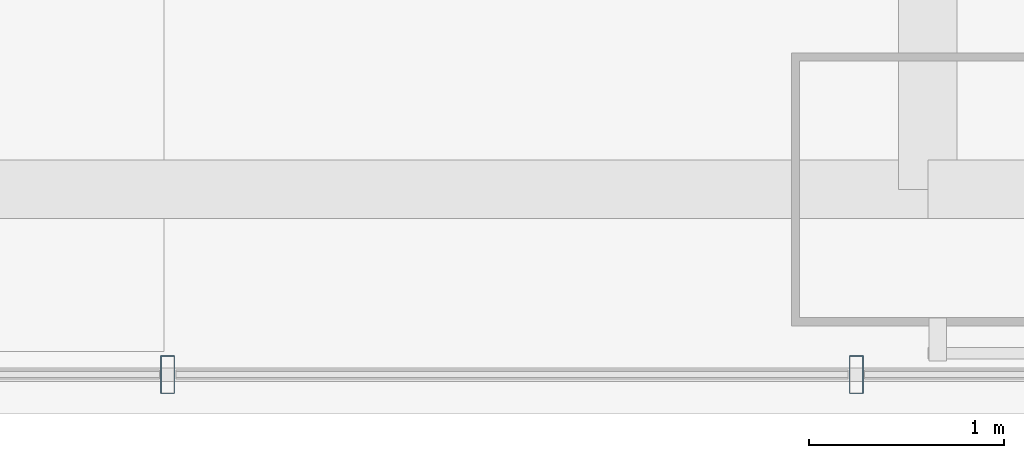
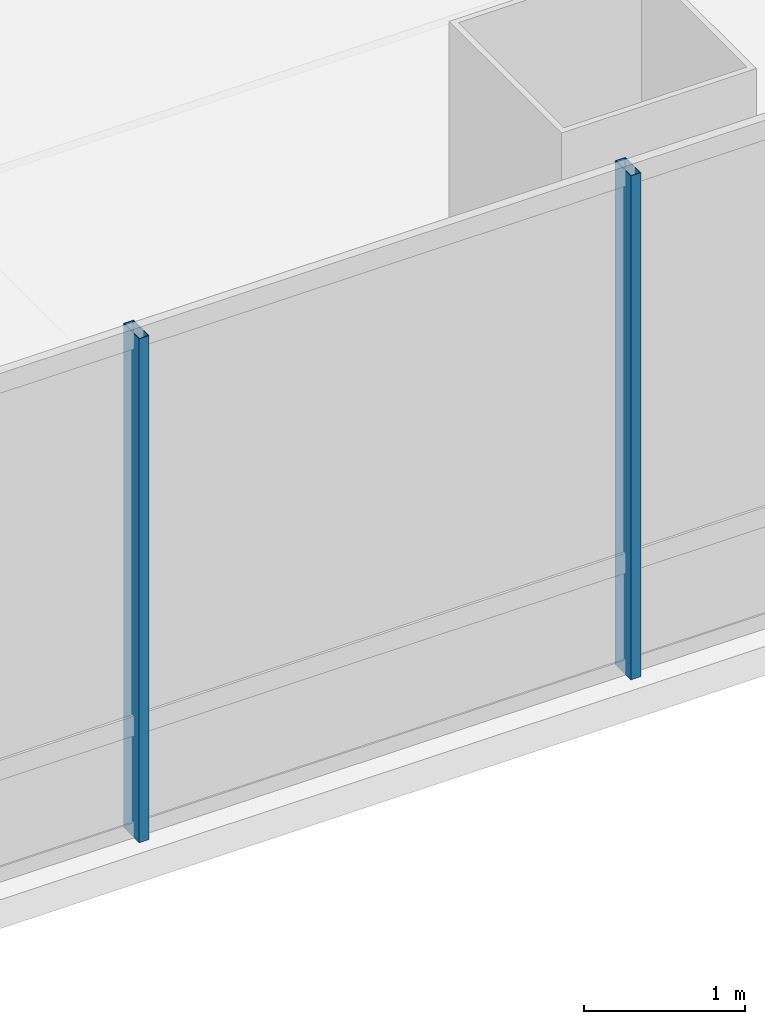
# One storey, part 7 of 38: 2 members, 1 element without a shape of its own.
"""IFC4 building model written with IfcOpenShell, lengths in metres."""

from ifc_helpers import new_model, si_unit, direction, frame, origin, origin_2d, place, context, subcontext, project, spatial, hollow_rectangle, extrude, material, material_profile, profile_set, type_object, element, aggregate, save


model = new_model("IFC4")

# Units and contexts
model_context = context("Model", 3, precision=1e-05, world=origin(), true_north=direction((0.0, 1.0)))
body_context = subcontext(model_context, "Body", "Model", "MODEL_VIEW")
ifc_project = project(units=[si_unit("LENGTHUNIT", "METRE"), si_unit("AREAUNIT", "SQUARE_METRE"), si_unit("VOLUMEUNIT", "CUBIC_METRE"), si_unit("PLANEANGLEUNIT", "RADIAN"), si_unit("MASSUNIT", "GRAM", prefix="KILO")], contexts=[model_context])

# Site, building, storey
site_placement = place(None, origin())
site = spatial("IfcSite", under=ifc_project, at=site_placement, CompositionType="ELEMENT")
building_placement = place(site_placement, origin())
building = spatial("IfcBuilding", under=site, at=building_placement, Name="Punatoya Terracotta Tower", CompositionType="ELEMENT")
storey_placement = place(building_placement, frame((0.0, 0.0, 151.949951171875)))
storey = spatial("IfcBuildingStorey", under=building, at=storey_placement, Name="L35", CompositionType="ELEMENT", Elevation=151.949951171875)

# Curtain wall, members
ifc_material_1 = material(Name="Aluminium 6063-T6 + Double Low-E Glass", Category="aluminium")
curtain_wall_type = type_object("IfcCurtainWallType", Name="CW-M2", PredefinedType="NOTDEFINED", material=ifc_material_1)
curtain_wall_placement = place(storey_placement, origin())
curtain_wall = element("IfcCurtainWall", 1, at=curtain_wall_placement, inside=storey, type_object=curtain_wall_type, Name="L35 Curtain Wall CW-L35-S01-1", PredefinedType="NOTDEFINED")
ifc_material_2 = material(Name="Aluminium 6063-T6", Category="aluminium")
ifc_material_profile = material_profile(ifc_material_2, hollow_rectangle(XDim=0.072021484375, YDim=0.195068359375, WallThickness=0.00439453125, at=origin_2d()))
ifc_profile_set = profile_set([ifc_material_profile], Name="Aluminium 6063-T6")
member_type = type_object("IfcMemberType", Name="CW-MUL-M2", PredefinedType="MULLION", material=ifc_profile_set)
member_1_placement = place(storey_placement, frame((-7.700927734375, -18.449951171875, 0.0), z_axis=(0.0, 0.0, 1.0), x_axis=(1.0, 0.0, 0.0)))
member_1 = element("IfcMember", 2, at=member_1_placement, type_object=member_type, Name="CW-L35-S01-1 Mullion 04", PredefinedType="MULLION", context=body_context, shape_type="SweptSolid", body=[
    extrude(hollow_rectangle(XDim=0.072021484375, YDim=0.195068359375, WallThickness=0.00439453125, at=origin_2d()), origin(), (0.0, 0.0, 1.0), 3.830078125),
])
member_2_placement = place(storey_placement, frame((-4.1669921875, -18.449951171875, 0.0), z_axis=(0.0, 0.0, 1.0), x_axis=(1.0, 0.0, 0.0)))
member_2 = element("IfcMember", 3, at=member_2_placement, type_object=member_type, Name="CW-L35-S01-1 Mullion 05", PredefinedType="MULLION", context=body_context, shape_type="SweptSolid", body=[
    extrude(hollow_rectangle(XDim=0.072021484375, YDim=0.195068359375, WallThickness=0.00439453125, at=origin_2d()), origin(), (0.0, 0.0, 1.0), 3.830078125),
])
aggregate(curtain_wall, [member_1, member_2])

save(model, "model.ifc")
